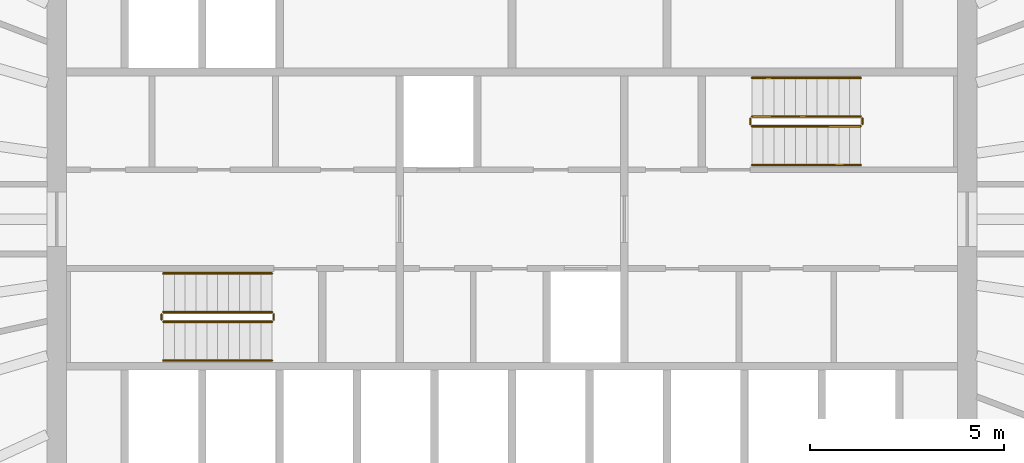
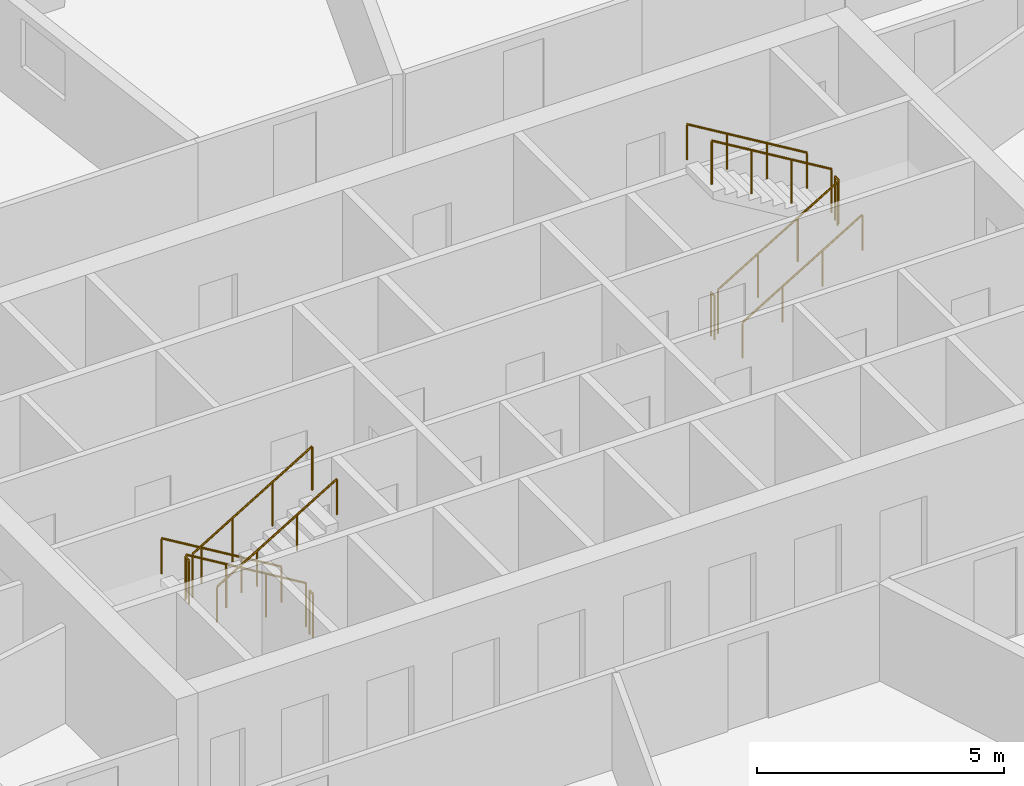
# One storey, part 12 of 12: 12 railings.
"""IFC4 building model written with IfcOpenShell, lengths in metres."""

from ifc_helpers import new_model, si_unit, direction, frame, origin, origin_2d, place, context, subcontext, project, spatial, circle, extrude, material, type_object, element, save


model = new_model("IFC4")

# Units and contexts
model_context = context("Model", 3, precision=1e-05, world=origin(), true_north=direction((0.0, 1.0)))
body_context = subcontext(model_context, "Body", "Model", "MODEL_VIEW")
ifc_project = project(units=[si_unit("LENGTHUNIT", "METRE"), si_unit("AREAUNIT", "SQUARE_METRE"), si_unit("VOLUMEUNIT", "CUBIC_METRE"), si_unit("PLANEANGLEUNIT", "RADIAN"), si_unit("MASSUNIT", "GRAM", prefix="KILO")], contexts=[model_context])

# Site, building, storey
site_placement = place(None, origin())
site = spatial("IfcSite", under=ifc_project, at=site_placement, CompositionType="ELEMENT")
building_placement = place(site_placement, origin())
building = spatial("IfcBuilding", under=site, at=building_placement, Name="Siaravel Broadcast Tower", CompositionType="ELEMENT")
storey_placement = place(building_placement, frame((0.0, 0.0, 115.60009765625)))
storey = spatial("IfcBuildingStorey", under=building, at=storey_placement, Name="L27", CompositionType="ELEMENT", Elevation=115.60009765625)

# Railings
ifc_material = material(Name="Stainless steel 316L", Category="steel")
railing_type_1 = type_object("IfcRailingType", Name="Stair guard 1100", PredefinedType="GUARDRAIL", material=ifc_material)
railing_1_placement = place(storey_placement, frame((-6.199951171875, -2.39990234375, 0.16796875)))
element("IfcRailing", 1, at=railing_1_placement, inside=storey, type_object=railing_type_1, Name="L27 ST-1 stair guard 1", PredefinedType="GUARDRAIL", context=body_context, shape_type="SweptSolid", body=[
    extrude(circle(Radius=0.02392578125, at=origin_2d()), frame((0.0, 0.0, 1.076171875), z_axis=(-0.857242211, 0.0, 0.514913383), x_axis=(0.0, -1.0, 0.0)), (0.0, 0.0, 1.0), 3.266357421875),
    extrude(circle(Radius=0.02099609375, at=origin_2d()), origin(), (0.0, 0.0, 1.0), 1.052001953125),
    extrude(circle(Radius=0.02099609375, at=origin_2d()), frame((-0.933349609375, 0.0, 0.560546875)), (0.0, 0.0, 1.0), 1.052001953125),
    extrude(circle(Radius=0.02099609375, at=origin_2d()), frame((-1.86669921875, 0.0, 1.121337890625)), (0.0, 0.0, 1.0), 1.052001953125),
    extrude(circle(Radius=0.02099609375, at=origin_2d()), frame((-2.800048828125, 0.0, 1.681884765625)), (0.0, 0.0, 1.0), 1.052001953125),
])
railing_2_placement = place(storey_placement, frame((-9.050048828125, -2.449951171875, 1.849853515625)))
element("IfcRailing", 2, at=railing_2_placement, inside=storey, type_object=railing_type_1, Name="L27 ST-1 stair guard 2", PredefinedType="GUARDRAIL", context=body_context, shape_type="SweptSolid", body=[
    extrude(circle(Radius=0.02392578125, at=origin_2d()), frame((0.0, 0.0, 1.076171875), z_axis=(0.0, -1.0, 0.0), x_axis=(1.0, 0.0, 0.0)), (0.0, 0.0, 1.0), 0.150146484375),
    extrude(circle(Radius=0.02099609375, at=origin_2d()), origin(), (0.0, 0.0, 1.0), 1.052001953125),
    extrude(circle(Radius=0.02099609375, at=origin_2d()), frame((0.0, -0.150146484375, 0.0)), (0.0, 0.0, 1.0), 1.052001953125),
])
railing_3_placement = place(storey_placement, frame((-9.0, -2.64990234375, 2.01806640625)))
element("IfcRailing", 3, at=railing_3_placement, inside=storey, type_object=railing_type_1, Name="L27 ST-1 stair guard 3", PredefinedType="GUARDRAIL", context=body_context, shape_type="SweptSolid", body=[
    extrude(circle(Radius=0.02392578125, at=origin_2d()), frame((0.0, 0.0, 1.076171875), z_axis=(0.857242211, 0.0, 0.514913383), x_axis=(0.0, 1.0, 0.0)), (0.0, 0.0, 1.0), 3.266357421875),
    extrude(circle(Radius=0.02099609375, at=origin_2d()), origin(), (0.0, 0.0, 1.0), 1.052001953125),
    extrude(circle(Radius=0.02099609375, at=origin_2d()), frame((0.933349609375, 0.0, 0.560546875)), (0.0, 0.0, 1.0), 1.052001953125),
    extrude(circle(Radius=0.02099609375, at=origin_2d()), frame((1.86669921875, 0.0, 1.121337890625)), (0.0, 0.0, 1.0), 1.052001953125),
    extrude(circle(Radius=0.02099609375, at=origin_2d()), frame((2.800048828125, 0.0, 1.681884765625)), (0.0, 0.0, 1.0), 1.052001953125),
])
railing_4_placement = place(storey_placement, frame((-6.14990234375, -2.449951171875, 0.0)))
element("IfcRailing", 4, at=railing_4_placement, inside=storey, type_object=railing_type_1, Name="L27 ST-1 stair guard 4", PredefinedType="GUARDRAIL", context=body_context, shape_type="SweptSolid", body=[
    extrude(circle(Radius=0.02392578125, at=origin_2d()), frame((0.0, 0.0, 1.076171875), z_axis=(0.0, -1.0, 0.0), x_axis=(1.0, 0.0, 0.0)), (0.0, 0.0, 1.0), 0.150146484375),
    extrude(circle(Radius=0.02099609375, at=origin_2d()), origin(), (0.0, 0.0, 1.0), 1.052001953125),
    extrude(circle(Radius=0.02099609375, at=origin_2d()), frame((0.0, -0.150146484375, 0.0)), (0.0, 0.0, 1.0), 1.052001953125),
])
railing_5_placement = place(storey_placement, frame((6.199951171875, 2.39990234375, 0.16796875)))
element("IfcRailing", 5, at=railing_5_placement, inside=storey, type_object=railing_type_1, Name="L27 ST-2 stair guard 1", PredefinedType="GUARDRAIL", context=body_context, shape_type="SweptSolid", body=[
    extrude(circle(Radius=0.02392578125, at=origin_2d()), frame((0.0, 0.0, 1.076171875), z_axis=(0.857242211, 0.0, 0.514913383), x_axis=(0.0, 1.0, 0.0)), (0.0, 0.0, 1.0), 3.266357421875),
    extrude(circle(Radius=0.02099609375, at=origin_2d()), origin(), (0.0, 0.0, 1.0), 1.052001953125),
    extrude(circle(Radius=0.02099609375, at=origin_2d()), frame((0.933349609375, 0.0, 0.560546875)), (0.0, 0.0, 1.0), 1.052001953125),
    extrude(circle(Radius=0.02099609375, at=origin_2d()), frame((1.86669921875, 0.0, 1.121337890625)), (0.0, 0.0, 1.0), 1.052001953125),
    extrude(circle(Radius=0.02099609375, at=origin_2d()), frame((2.800048828125, 0.0, 1.681884765625)), (0.0, 0.0, 1.0), 1.052001953125),
])
railing_6_placement = place(storey_placement, frame((9.050048828125, 2.449951171875, 1.849853515625)))
element("IfcRailing", 6, at=railing_6_placement, inside=storey, type_object=railing_type_1, Name="L27 ST-2 stair guard 2", PredefinedType="GUARDRAIL", context=body_context, shape_type="SweptSolid", body=[
    extrude(circle(Radius=0.02392578125, at=origin_2d()), frame((0.0, 0.0, 1.076171875), z_axis=(0.0, 1.0, 0.0), x_axis=(-1.0, 0.0, 0.0)), (0.0, 0.0, 1.0), 0.150146484375),
    extrude(circle(Radius=0.02099609375, at=origin_2d()), origin(), (0.0, 0.0, 1.0), 1.052001953125),
    extrude(circle(Radius=0.02099609375, at=origin_2d()), frame((0.0, 0.150146484375, 0.0)), (0.0, 0.0, 1.0), 1.052001953125),
])
railing_7_placement = place(storey_placement, frame((9.0, 2.64990234375, 2.01806640625)))
element("IfcRailing", 7, at=railing_7_placement, inside=storey, type_object=railing_type_1, Name="L27 ST-2 stair guard 3", PredefinedType="GUARDRAIL", context=body_context, shape_type="SweptSolid", body=[
    extrude(circle(Radius=0.02392578125, at=origin_2d()), frame((0.0, 0.0, 1.076171875), z_axis=(-0.857242211, 0.0, 0.514913383), x_axis=(0.0, -1.0, 0.0)), (0.0, 0.0, 1.0), 3.266357421875),
    extrude(circle(Radius=0.02099609375, at=origin_2d()), origin(), (0.0, 0.0, 1.0), 1.052001953125),
    extrude(circle(Radius=0.02099609375, at=origin_2d()), frame((-0.933349609375, 0.0, 0.560546875)), (0.0, 0.0, 1.0), 1.052001953125),
    extrude(circle(Radius=0.02099609375, at=origin_2d()), frame((-1.86669921875, 0.0, 1.121337890625)), (0.0, 0.0, 1.0), 1.052001953125),
    extrude(circle(Radius=0.02099609375, at=origin_2d()), frame((-2.800048828125, 0.0, 1.681884765625)), (0.0, 0.0, 1.0), 1.052001953125),
])
railing_8_placement = place(storey_placement, frame((6.14990234375, 2.449951171875, 0.0)))
element("IfcRailing", 8, at=railing_8_placement, inside=storey, type_object=railing_type_1, Name="L27 ST-2 stair guard 4", PredefinedType="GUARDRAIL", context=body_context, shape_type="SweptSolid", body=[
    extrude(circle(Radius=0.02392578125, at=origin_2d()), frame((0.0, 0.0, 1.076171875), z_axis=(0.0, 1.0, 0.0), x_axis=(-1.0, 0.0, 0.0)), (0.0, 0.0, 1.0), 0.150146484375),
    extrude(circle(Radius=0.02099609375, at=origin_2d()), origin(), (0.0, 0.0, 1.0), 1.052001953125),
    extrude(circle(Radius=0.02099609375, at=origin_2d()), frame((0.0, 0.150146484375, 0.0)), (0.0, 0.0, 1.0), 1.052001953125),
])
railing_type_2 = type_object("IfcRailingType", Name="Stair handrail 900", PredefinedType="HANDRAIL", material=ifc_material)
railing_9_placement = place(storey_placement, frame((-6.199951171875, -1.39990234375, 0.16796875)))
element("IfcRailing", 9, at=railing_9_placement, inside=storey, type_object=railing_type_2, Name="L27 ST-1 stair handrail 1", PredefinedType="HANDRAIL", context=body_context, shape_type="SweptSolid", body=[
    extrude(circle(Radius=0.02392578125, at=origin_2d()), frame((0.0, 0.0, 0.8759765625), z_axis=(-0.857242211, 0.0, 0.514913383), x_axis=(0.0, -1.0, 0.0)), (0.0, 0.0, 1.0), 3.266357421875),
    extrude(circle(Radius=0.02099609375, at=origin_2d()), origin(), (0.0, 0.0, 1.0), 0.851806640625),
    extrude(circle(Radius=0.02099609375, at=origin_2d()), frame((-0.933349609375, 0.0, 0.560546875)), (0.0, 0.0, 1.0), 0.851806640625),
    extrude(circle(Radius=0.02099609375, at=origin_2d()), frame((-1.86669921875, 0.0, 1.121337890625)), (0.0, 0.0, 1.0), 0.851806640625),
    extrude(circle(Radius=0.02099609375, at=origin_2d()), frame((-2.800048828125, 0.0, 1.681884765625)), (0.0, 0.0, 1.0), 0.851806640625),
])
for number, where, name in (
    (10, (-9.0, -3.64990234375, 2.01806640625), "L27 ST-1 stair handrail 2"),
    (11, (6.199951171875, 1.39990234375, 0.16796875), "L27 ST-2 stair handrail 1"),
):
    element("IfcRailing", number, at=place(storey_placement, frame(where)), inside=storey, type_object=railing_type_2, Name=name, PredefinedType="HANDRAIL", context=body_context, shape_type="SweptSolid", body=[
        extrude(circle(Radius=0.02392578125, at=origin_2d()), frame((0.0, 0.0, 0.8759765625), z_axis=(0.857242211, 0.0, 0.514913383), x_axis=(0.0, 1.0, 0.0)), (0.0, 0.0, 1.0), 3.266357421875),
        extrude(circle(Radius=0.02099609375, at=origin_2d()), origin(), (0.0, 0.0, 1.0), 0.851806640625),
        extrude(circle(Radius=0.02099609375, at=origin_2d()), frame((0.933349609375, 0.0, 0.560546875)), (0.0, 0.0, 1.0), 0.851806640625),
        extrude(circle(Radius=0.02099609375, at=origin_2d()), frame((1.86669921875, 0.0, 1.121337890625)), (0.0, 0.0, 1.0), 0.851806640625),
        extrude(circle(Radius=0.02099609375, at=origin_2d()), frame((2.800048828125, 0.0, 1.681884765625)), (0.0, 0.0, 1.0), 0.851806640625),
    ])
railing_10_placement = place(storey_placement, frame((9.0, 3.64990234375, 2.01806640625)))
element("IfcRailing", 12, at=railing_10_placement, inside=storey, type_object=railing_type_2, Name="L27 ST-2 stair handrail 2", PredefinedType="HANDRAIL", context=body_context, shape_type="SweptSolid", body=[
    extrude(circle(Radius=0.02392578125, at=origin_2d()), frame((0.0, 0.0, 0.8759765625), z_axis=(-0.857242211, 0.0, 0.514913383), x_axis=(0.0, -1.0, 0.0)), (0.0, 0.0, 1.0), 3.266357421875),
    extrude(circle(Radius=0.02099609375, at=origin_2d()), origin(), (0.0, 0.0, 1.0), 0.851806640625),
    extrude(circle(Radius=0.02099609375, at=origin_2d()), frame((-0.933349609375, 0.0, 0.560546875)), (0.0, 0.0, 1.0), 0.851806640625),
    extrude(circle(Radius=0.02099609375, at=origin_2d()), frame((-1.86669921875, 0.0, 1.121337890625)), (0.0, 0.0, 1.0), 0.851806640625),
    extrude(circle(Radius=0.02099609375, at=origin_2d()), frame((-2.800048828125, 0.0, 1.681884765625)), (0.0, 0.0, 1.0), 0.851806640625),
])

save(model, "model.ifc")
